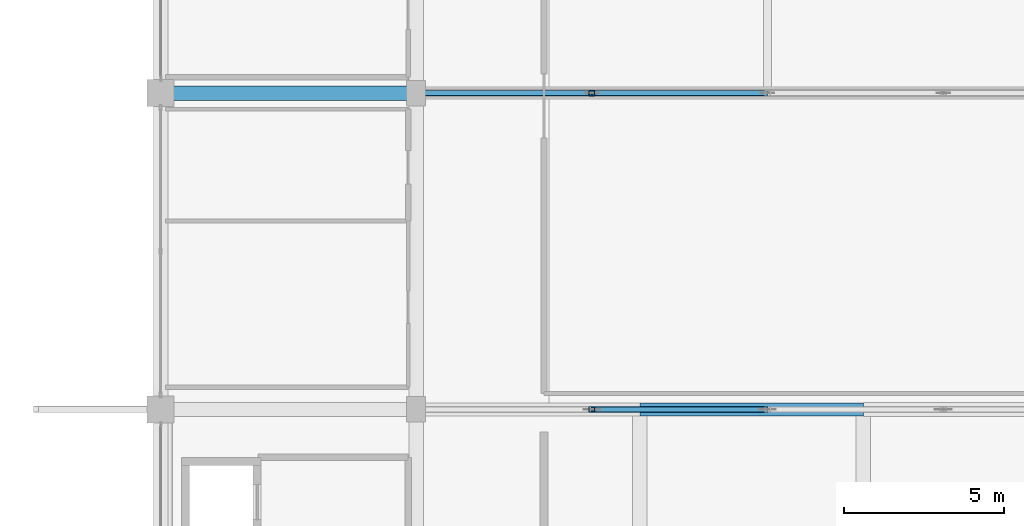
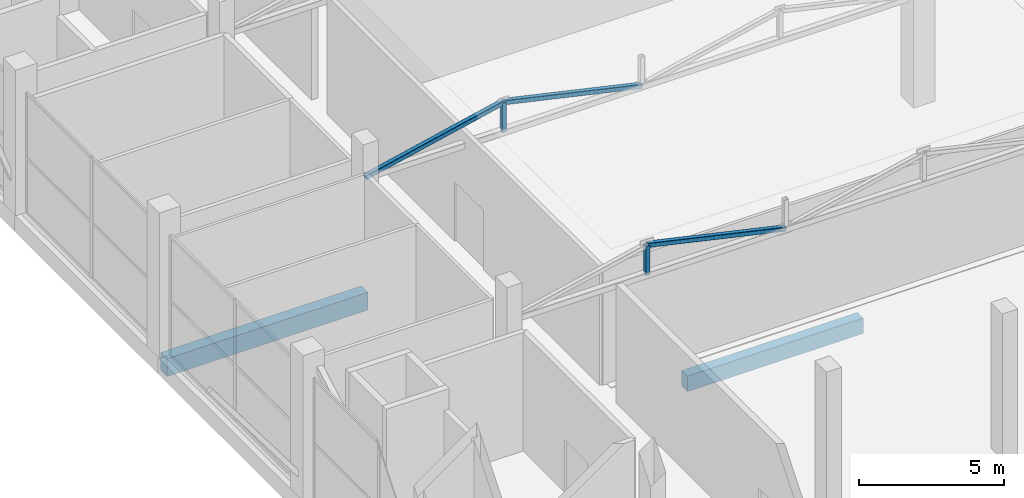
# One storey, part 6 of 46: 5 members, 2 beams.
"""IFC4 building model written with IfcOpenShell, lengths in metres."""

from ifc_helpers import new_model, si_unit, direction, frame, origin, origin_2d, place, context, subcontext, project, spatial, rectangle, hollow_rectangle, extrude, material, material_profile, profile_set, type_object, element, save


model = new_model("IFC4")

# Units and contexts
model_context = context("Model", 3, precision=1e-05, world=origin(), true_north=direction((0.0, 1.0)))
body_context = subcontext(model_context, "Body", "Model", "MODEL_VIEW")
ifc_project = project(units=[si_unit("LENGTHUNIT", "METRE"), si_unit("AREAUNIT", "SQUARE_METRE"), si_unit("VOLUMEUNIT", "CUBIC_METRE"), si_unit("PLANEANGLEUNIT", "RADIAN"), si_unit("MASSUNIT", "GRAM", prefix="KILO")], contexts=[model_context])

# Site, building, storey
site_placement = place(None, origin())
site = spatial("IfcSite", under=ifc_project, at=site_placement, CompositionType="ELEMENT")
building_placement = place(site_placement, origin())
building = spatial("IfcBuilding", under=site, at=building_placement, Name="Sillaruma Civic Art Gallery", CompositionType="ELEMENT")
storey_placement = place(building_placement, frame((0.0, 0.0, 16.320068359375)))
storey = spatial("IfcBuildingStorey", under=building, at=storey_placement, Name="L03", CompositionType="ELEMENT", Elevation=16.320068359375)

# Beams
ifc_material_1 = material(Name="Concrete H35 (35 MPa)", Category="concrete")
ifc_material_profile_1 = material_profile(ifc_material_1, rectangle(XDim=0.39990234375, YDim=0.64990234375, at=origin_2d()), Name="RCB400x650")
ifc_profile_set_1 = profile_set([ifc_material_profile_1], Name="Concrete H35 (35 MPa)")
beam_type_1 = type_object("IfcBeamType", Name="BM-BEAM-RCB400x650", PredefinedType="BEAM", material=ifc_profile_set_1)
beam_1_placement = place(storey_placement, frame((77.0, 49.5, -0.60498046875), z_axis=(1.0, 0.0, 0.0), x_axis=(0.0, 1.0, 0.0)))
element("IfcBeam", 1, at=beam_1_placement, inside=storey, type_object=beam_type_1, Name="Beam BM-05 (L02:6:H-J)", PredefinedType="BEAM", context=body_context, shape_type="SweptSolid", body=[
    extrude(rectangle(XDim=0.39990234375, YDim=0.64990234375, at=origin_2d()), origin(), (0.0, 0.0, 1.0), 7.0),
])
ifc_material_2 = material(Name="Concrete H40 (40 MPa)", Category="concrete")
ifc_material_profile_2 = material_profile(ifc_material_2, rectangle(XDim=0.449951171875, YDim=0.75, at=origin_2d()), Name="RCB450x750")
ifc_profile_set_2 = profile_set([ifc_material_profile_2], Name="Concrete H40 (40 MPa)")
beam_type_2 = type_object("IfcBeamType", Name="BM-BEAM-RCB450x750", PredefinedType="BEAM", material=ifc_profile_set_2)
beam_2_placement = place(storey_placement, frame((62.0, 59.39990234375, -0.655029296875), z_axis=(1.0, 0.0, 0.0), x_axis=(0.0, 1.0, 0.0)))
element("IfcBeam", 2, at=beam_2_placement, inside=storey, type_object=beam_type_2, Name="Beam BM-03 (L02:7:F-G)", PredefinedType="BEAM", context=body_context, shape_type="SweptSolid", body=[
    extrude(rectangle(XDim=0.449951171875, YDim=0.75, at=origin_2d()), origin(), (0.0, 0.0, 1.0), 8.0),
])

# Members
ifc_material_3 = material(Name="Structural Steel ASTM A500 Gr.C", Category="steel")
ifc_material_profile_3 = material_profile(ifc_material_3, hollow_rectangle(XDim=0.179931640625, YDim=0.179931640625, WallThickness=0.010009765625, InnerFilletRadius=0.010009765625, OuterFilletRadius=0.02001953125, at=origin_2d()), Name="HSS180x180x10")
ifc_profile_set_3 = profile_set([ifc_material_profile_3], Name="Structural Steel ASTM A500 Gr.C")
member_type_1 = type_object("IfcMemberType", Name="MEM-BRACE-HSS180x180x10", PredefinedType="BRACE", material=ifc_profile_set_3)
for number, where, z_axis, x_axis, name in (
    (3, (75.5, 49.5, 5.673828125), (0.975552224414, 0.0, -0.219767735214), (0.0, 1.0, 0.0), "Warren Truss Diagonal TR-L03-1-D2"),
    (4, (70.0, 59.39990234375, 4.434814453125), (0.975552224414, 0.0, 0.219767735214), (0.0, 1.0, 0.0), "Warren Truss Diagonal TR-L03-2-D1"),
    (5, (75.5, 59.39990234375, 5.673828125), (0.975552224414, 0.0, -0.219767735214), (0.0, 1.0, 0.0), "Warren Truss Diagonal TR-L03-2-D2"),
):
    element("IfcMember", number, at=place(storey_placement, frame(where, z_axis=z_axis, x_axis=x_axis)), inside=storey, type_object=member_type_1, Name=name, PredefinedType="BRACE", context=body_context, shape_type="SweptSolid", body=[
        extrude(hollow_rectangle(XDim=0.179931640625, YDim=0.179931640625, WallThickness=0.010009765625, InnerFilletRadius=0.010009765625, OuterFilletRadius=0.02001953125, at=origin_2d()), origin(), (0.0, 0.0, 1.0), 5.637939453125),
    ])
ifc_material_profile_4 = material_profile(ifc_material_3, hollow_rectangle(XDim=0.179931640625, YDim=0.179931640625, WallThickness=0.010009765625, InnerFilletRadius=0.010009765625, OuterFilletRadius=0.02001953125, at=origin_2d()), Name="HSS180x180x10")
ifc_profile_set_4 = profile_set([ifc_material_profile_4], Name="Structural Steel ASTM A500 Gr.C")
member_type_2 = type_object("IfcMemberType", Name="MEM-POST-HSS180x180x10", PredefinedType="POST", material=ifc_profile_set_4)
for number, where, z_axis, x_axis, name in (
    (6, (75.5, 49.5, 4.434814453125), (0.0, 0.0, 1.0), (1.0, 0.0, 0.0), "Warren Truss Vertical Post TR-L03-1-V1"),
    (7, (75.5, 59.39990234375, 4.434814453125), (0.0, 0.0, 1.0), (1.0, 0.0, 0.0), "Warren Truss Vertical Post TR-L03-2-V1"),
):
    element("IfcMember", number, at=place(storey_placement, frame(where, z_axis=z_axis, x_axis=x_axis)), inside=storey, type_object=member_type_2, Name=name, PredefinedType="POST", context=body_context, shape_type="SweptSolid", body=[
        extrude(hollow_rectangle(XDim=0.179931640625, YDim=0.179931640625, WallThickness=0.010009765625, InnerFilletRadius=0.010009765625, OuterFilletRadius=0.02001953125, at=origin_2d()), origin(), (0.0, 0.0, 1.0), 1.239013671875),
    ])

save(model, "model.ifc")
